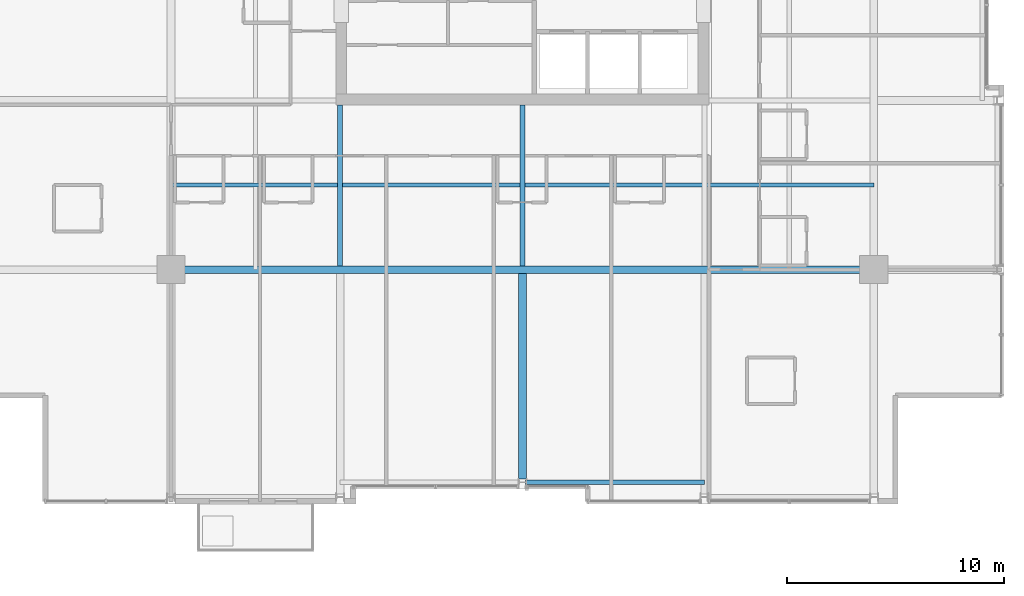
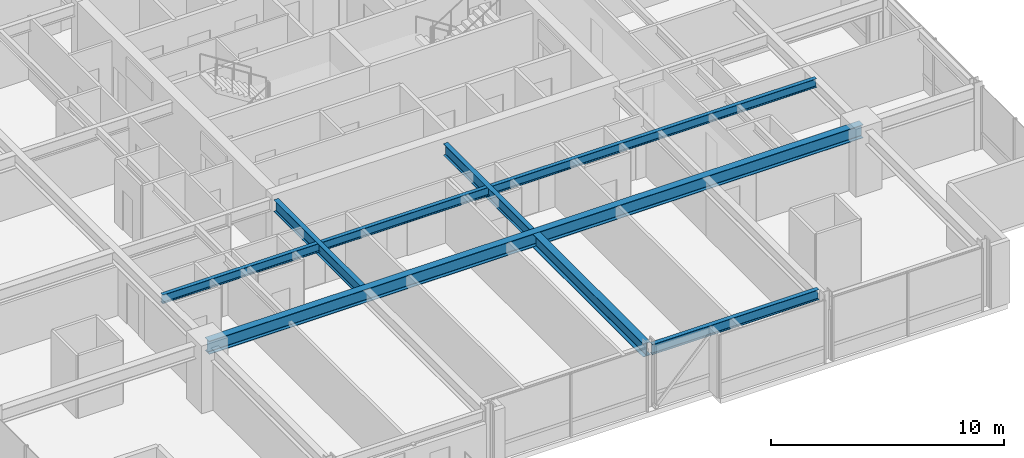
# One storey, part 6 of 33: 6 beams.
"""IFC4 building model written with IfcOpenShell, lengths in metres."""

from ifc_helpers import new_model, si_unit, direction, frame, origin, origin_2d, place, context, subcontext, project, spatial, i_section, extrude, material, material_profile, profile_set, type_object, element, save


model = new_model("IFC4")

# Units and contexts
model_context = context("Model", 3, precision=1e-05, world=origin(), true_north=direction((0.0, 1.0)))
body_context = subcontext(model_context, "Body", "Model", "MODEL_VIEW")
ifc_project = project(units=[si_unit("LENGTHUNIT", "METRE"), si_unit("AREAUNIT", "SQUARE_METRE"), si_unit("VOLUMEUNIT", "CUBIC_METRE"), si_unit("PLANEANGLEUNIT", "RADIAN"), si_unit("MASSUNIT", "GRAM", prefix="KILO")], contexts=[model_context])

# Site, building, storey
site_placement = place(None, origin())
site = spatial("IfcSite", under=ifc_project, at=site_placement, CompositionType="ELEMENT")
building_placement = place(site_placement, origin())
building = spatial("IfcBuilding", under=site, at=building_placement, Name="Drelvath Grand Hotel", CompositionType="ELEMENT")
storey_placement = place(building_placement, frame((0.0, 0.0, 153.949951171875)))
storey = spatial("IfcBuildingStorey", under=building, at=storey_placement, Name="L39", CompositionType="ELEMENT", Elevation=153.949951171875)

# Beams
ifc_material = material(Name="Steel ASTM A992 Gr 50", Category="steel")
ifc_material_profile_1 = material_profile(ifc_material, i_section(OverallWidth=0.19140625, OverallDepth=0.4599609375, WebThickness=0.010009765625, FlangeThickness=0.01611328125, FilletRadius=0.01611328125, at=origin_2d()), Name="W18X55")
ifc_profile_set_1 = profile_set([ifc_material_profile_1], Name="Steel ASTM A992 Gr 50")
beam_type_1 = type_object("IfcBeamType", Name="Composite Floor Joist W18X55", PredefinedType="JOIST", material=ifc_profile_set_1)
beam_1_placement = place(storey_placement, frame((-16.199951171875, 14.699951171875, 3.06005859375), z_axis=(1.0, 0.0, 0.0), x_axis=(0.0, 1.0, 0.0)))
element("IfcBeam", 1, at=beam_1_placement, inside=storey, type_object=beam_type_1, Name="L39 Floor Joist J1", PredefinedType="JOIST", context=body_context, shape_type="SweptSolid", body=[
    extrude(i_section(OverallWidth=0.19140625, OverallDepth=0.4599609375, WebThickness=0.010009765625, FlangeThickness=0.01611328125, FilletRadius=0.01611328125, at=origin_2d()), origin(), (0.0, 0.0, 1.0), 32.39990234375),
])
ifc_material_profile_2 = material_profile(ifc_material, i_section(OverallWidth=0.210205078125, OverallDepth=0.53662109375, WebThickness=0.010986328125, FlangeThickness=0.017333984375, FilletRadius=0.01806640625, at=origin_2d()), Name="W21X68")
ifc_profile_set_2 = profile_set([ifc_material_profile_2], Name="Steel ASTM A992 Gr 50")
beam_type_2 = type_object("IfcBeamType", Name="Perimeter Spandrel Beam W21X68", PredefinedType="SPANDREL", material=ifc_profile_set_2)
beam_2_placement = place(storey_placement, frame((0.139892578125, 1.0, 3.021728515625), z_axis=(1.0, 0.0, 0.0), x_axis=(0.0, 1.0, 0.0)))
element("IfcBeam", 2, at=beam_2_placement, inside=storey, type_object=beam_type_2, Name="L39 Spandrel South Mid E", PredefinedType="SPANDREL", context=body_context, shape_type="SweptSolid", body=[
    extrude(i_section(OverallWidth=0.210205078125, OverallDepth=0.53662109375, WebThickness=0.010986328125, FlangeThickness=0.017333984375, FilletRadius=0.01806640625, at=origin_2d()), origin(), (0.0, 0.0, 1.0), 8.260009765625),
])
ifc_material_profile_3 = material_profile(ifc_material, i_section(OverallWidth=0.228271484375, OverallDepth=0.607666015625, WebThickness=0.01123046875, FlangeThickness=0.017333984375, FilletRadius=0.02001953125, at=origin_2d()), Name="W24X76")
ifc_profile_set_3 = profile_set([ifc_material_profile_3], Name="Steel ASTM A992 Gr 50")
beam_type_3 = type_object("IfcBeamType", Name="Primary Floor Girder W24X76", PredefinedType="BEAM", material=ifc_profile_set_3)
for number, where, z_axis, x_axis, name in (
    (3, (-8.39990234375, 10.977294921875, 2.986328125), (0.0, 1.0, 0.0), (-1.0, 0.0, 0.0), "L39 South Core Tie 4"),
    (4, (0.0, 10.977294921875, 2.986328125), (0.0, 1.0, 0.0), (-1.0, 0.0, 0.0), "L39 South Core Tie 5"),
):
    element("IfcBeam", number, at=place(storey_placement, frame(where, z_axis=z_axis, x_axis=x_axis)), inside=storey, type_object=beam_type_3, Name=name, PredefinedType="BEAM", context=body_context, shape_type="SweptSolid", body=[
        extrude(i_section(OverallWidth=0.228271484375, OverallDepth=0.607666015625, WebThickness=0.01123046875, FlangeThickness=0.017333984375, FilletRadius=0.02001953125, at=origin_2d()), origin(), (0.0, 0.0, 1.0), 7.422607421875),
    ])
ifc_material_profile_4 = material_profile(ifc_material, i_section(OverallWidth=0.354736328125, OverallDepth=0.695556640625, WebThickness=0.015380859375, FlangeThickness=0.025146484375, FilletRadius=0.02392578125, at=origin_2d()), Name="W27X146")
ifc_profile_set_4 = profile_set([ifc_material_profile_4], Name="Steel ASTM A992 Gr 50")
beam_type_4 = type_object("IfcBeamType", Name="Primary Floor Girder W27X146", PredefinedType="BEAM", material=ifc_profile_set_4)
beam_3_placement = place(storey_placement, frame((-16.199951171875, 10.800048828125, 2.9423828125), z_axis=(1.0, 0.0, 0.0), x_axis=(0.0, 1.0, 0.0)))
element("IfcBeam", 5, at=beam_3_placement, inside=storey, type_object=beam_type_4, Name="L39 Mega Ring Girder South", PredefinedType="BEAM", context=body_context, shape_type="SweptSolid", body=[
    extrude(i_section(OverallWidth=0.354736328125, OverallDepth=0.695556640625, WebThickness=0.015380859375, FlangeThickness=0.025146484375, FilletRadius=0.02392578125, at=origin_2d()), origin(), (0.0, 0.0, 1.0), 32.39990234375),
])
beam_4_placement = place(storey_placement, frame((0.0, 1.139892578125, 2.9423828125), z_axis=(0.0, 1.0, 0.0), x_axis=(-1.0, 0.0, 0.0)))
element("IfcBeam", 6, at=beam_4_placement, inside=storey, type_object=beam_type_4, Name="L39 South Wing Girder 5", PredefinedType="BEAM", context=body_context, shape_type="SweptSolid", body=[
    extrude(i_section(OverallWidth=0.354736328125, OverallDepth=0.695556640625, WebThickness=0.015380859375, FlangeThickness=0.025146484375, FilletRadius=0.02392578125, at=origin_2d()), origin(), (0.0, 0.0, 1.0), 9.482666015625),
])

save(model, "model.ifc")
